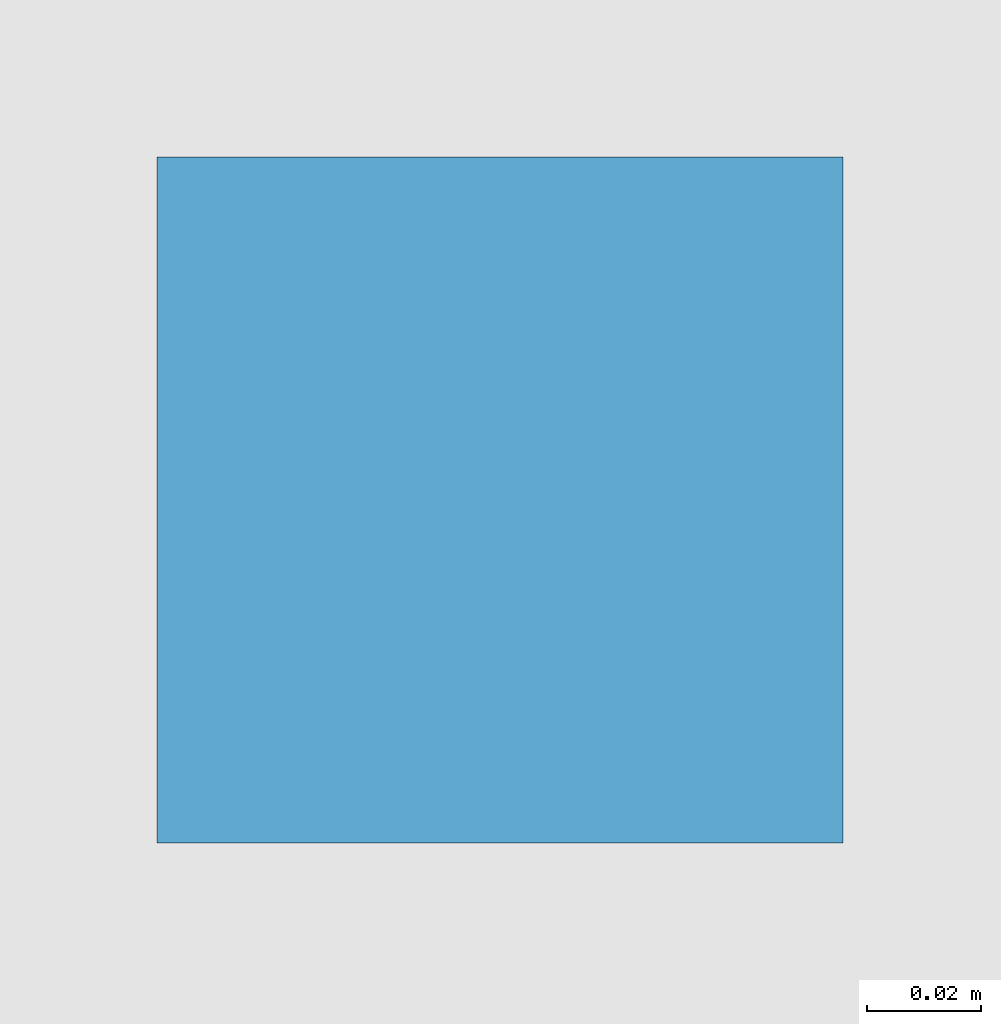
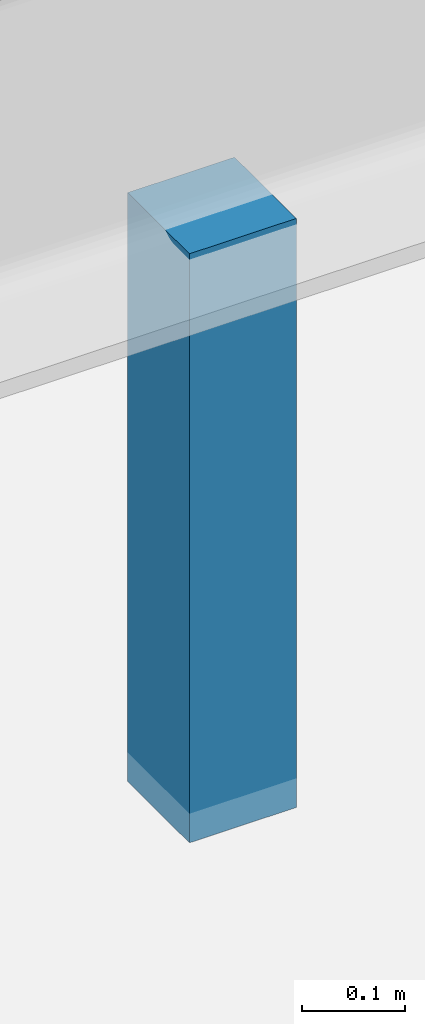
# One storey, part 50 of 67: 1 discrete accessory.
"""IFC4 building model written with IfcOpenShell, lengths in metres."""

import ifcopenshell
import ifcopenshell.guid

model = None  # the IFC model being written
_history = None  # IfcOwnerHistory: only IFC2X3 demands one
_inside = {}  # id of a spatial element -> (the spatial element, [elements in it])
_under = {}  # id of a project, library or spatial element -> (it, [spatial elements below it])
_declared = {}  # id of a project -> (the project, [libraries it declares])
_typed = {}  # id of a type object -> (the type object, [elements of that type])
_made_of = {}  # id of a material, layer set ... -> (it, [elements and type objects made of it])


def new_model(schema):
    """Start an empty IFC model of exactly this schema.

    Asked for "IFC4X3", IfcOpenShell would pick the latest addendum, in which some entities
    have other attributes; the version numbers below select the first issue.
    IFC2X3 requires an IfcOwnerHistory on every rooted entity: one is made here for all.
    """
    global model, _history
    if schema == "IFC4X3":
        model = ifcopenshell.file(schema_version=(4, 3, 0, 0))
    else:
        model = ifcopenshell.file(schema=schema)
    _inside.clear()
    _under.clear()
    _declared.clear()
    _typed.clear()
    _made_of.clear()
    _history = None
    if model.schema == "IFC2X3":
        org = make("IfcOrganization", Name="unknown")
        user = make(
            "IfcPersonAndOrganization",
            ThePerson=make("IfcPerson", FamilyName="unknown"),
            TheOrganization=org,
        )
        app = make(
            "IfcApplication",
            ApplicationDeveloper=org,
            Version="unknown",
            ApplicationFullName="unknown",
            ApplicationIdentifier="unknown",
        )
        _history = make(
            "IfcOwnerHistory",
            OwningUser=user,
            OwningApplication=app,
            ChangeAction="ADDED",
            CreationDate=0,
        )
    return model


def make(cls, **values):
    """One entity of the class cls with the attributes given. An attribute that is None is left unset."""
    return model.create_entity(
        cls, **{name: value for name, value in values.items() if value is not None}
    )


def rooted(cls, **values):
    """An entity with a GlobalId (a new one), such as an element, a storey or a relation."""
    return make(cls, GlobalId=ifcopenshell.guid.new(), OwnerHistory=_history, **values)


def si_unit(unit_type, name, prefix=None):
    """IfcSIUnit, for example si_unit("LENGTHUNIT", "METRE", prefix="MILLI")."""
    return make("IfcSIUnit", UnitType=unit_type, Prefix=prefix, Name=name)


def assignment(units):
    """IfcUnitAssignment: the units of a project."""
    return None if units is None else make("IfcUnitAssignment", Units=units)


def point(xyz):
    """IfcCartesianPoint."""
    return None if xyz is None else make("IfcCartesianPoint", Coordinates=xyz)


def direction(xyz):
    """IfcDirection."""
    return None if xyz is None else make("IfcDirection", DirectionRatios=xyz)


def frame(location, z_axis=None, x_axis=None):
    """IfcAxis2Placement3D, a coordinate frame: its origin and axes. An axis left out is left unset."""
    return make(
        "IfcAxis2Placement3D",
        Location=point(location),
        Axis=direction(z_axis),
        RefDirection=direction(x_axis),
    )


def frame_2d(location, x_axis=None):
    """IfcAxis2Placement2D, a coordinate frame in the plane: its origin and x axis."""
    return make(
        "IfcAxis2Placement2D", Location=point(location), RefDirection=direction(x_axis)
    )


def origin():
    """The frame at (0, 0, 0) with its axes left unset."""
    return frame((0.0, 0.0, 0.0))


def origin_2d():
    """The frame at (0, 0) in the plane with its x axis left unset."""
    return frame_2d((0.0, 0.0))


def place(relative_to, where):
    """IfcLocalPlacement: puts the frame where relative to a parent placement (None: the world)."""
    return make(
        "IfcLocalPlacement", PlacementRelTo=relative_to, RelativePlacement=where
    )


def context(
    kind, dimensions, precision=None, world=None, true_north=None, identifier=None
):
    """IfcGeometricRepresentationContext, for example the 3D "Model" context."""
    return make(
        "IfcGeometricRepresentationContext",
        ContextIdentifier=identifier,
        ContextType=kind,
        CoordinateSpaceDimension=dimensions,
        Precision=precision,
        WorldCoordinateSystem=world,
        TrueNorth=true_north,
    )


def subcontext(parent, identifier, kind, view, scale=None):
    """IfcGeometricRepresentationSubContext, for example "Body" below "Model"."""
    return make(
        "IfcGeometricRepresentationSubContext",
        ContextIdentifier=identifier,
        ContextType=kind,
        ParentContext=parent,
        TargetScale=scale,
        TargetView=view,
    )


def project(units=None, contexts=None):
    """IfcProject with its units and contexts."""
    return rooted(
        "IfcProject",
        Name="project",
        RepresentationContexts=contexts,
        UnitsInContext=assignment(units),
    )


def spatial(cls, under=None, at=None, **own):
    """A site, building, storey or space (cls), placed at a placement, below another one or the project."""
    s = rooted(cls, ObjectPlacement=at, **own)
    if under is not None:
        _under.setdefault(under.id(), (under, []))[1].append(s)
    return s


def profile(cls, at=None, kind="AREA", **sizes):
    """A parametric profile (cls). Its sizes go by their IFC names, for example OverallWidth=200.0."""
    return make(cls, ProfileType=kind, Position=at, **sizes)


def rectangle(**sizes):
    """IfcRectangleProfileDef."""
    return profile("IfcRectangleProfileDef", **sizes)


def extrude(swept, where, along, depth):
    """IfcExtrudedAreaSolid: the profile swept, set in the frame where, extruded along a direction by depth."""
    return make(
        "IfcExtrudedAreaSolid",
        SweptArea=swept,
        Position=where,
        ExtrudedDirection=direction(along),
        Depth=depth,
    )


def shape(context_of_items, identifier, shape_type, items):
    """IfcShapeRepresentation: the items that make up one representation, for example the "Body"."""
    return make(
        "IfcShapeRepresentation",
        ContextOfItems=context_of_items,
        RepresentationIdentifier=identifier,
        RepresentationType=shape_type,
        Items=items,
    )


def material(Name=None, Category=None):
    """IfcMaterial."""
    return make("IfcMaterial", Name=Name, Category=Category)


def made_of(thing, what):
    """Note that an element or type object is made of a material, layer set ...; save() writes the relation."""
    if what is not None:
        _made_of.setdefault(what.id(), (what, []))[1].append(thing)
    return thing


def type_object(cls, material=None, **own):
    """A type object (cls), such as IfcWallType, which elements share."""
    return made_of(rooted(cls, **own), material)


def element(
    cls,
    number,
    at=None,
    inside=None,
    cuts=None,
    type_object=None,
    material=None,
    context=None,
    identifier="Body",
    shape_type=None,
    held_by="IfcProductDefinitionShape",
    body=None,
    shapes=None,
    **own,
):
    """One element of the class cls, such as IfcWall. Its Tag is "e" and its number.

    at: its placement. inside: the storey or other place that contains it. cuts: it is an
    opening in that element (IfcRelVoidsElement). A single representation is given by context,
    identifier, shape_type and body (its items); several are given by shapes. held_by: the class
    of the entity that holds the representations. save() writes the other relations.
    """
    e = rooted(cls, Tag="e%d" % number, ObjectPlacement=at, **own)
    if body is not None:
        shapes = [shape(context, identifier, shape_type, body)]
    if shapes is not None:
        e.Representation = make(held_by, Representations=shapes)
    if inside is not None:
        _inside.setdefault(inside.id(), (inside, []))[1].append(e)
    if cuts is not None:
        rooted(
            "IfcRelVoidsElement", RelatingBuildingElement=cuts, RelatedOpeningElement=e
        )
    if type_object is not None:
        _typed.setdefault(type_object.id(), (type_object, []))[1].append(e)
    return made_of(e, material)


def aggregate(whole, parts):
    """IfcRelAggregates: a whole, such as a stair, and the parts it consists of."""
    return rooted("IfcRelAggregates", RelatingObject=whole, RelatedObjects=parts)


def save(model, path):
    """Write the relations noted so far, then the file.

    IfcRelAggregates (storeys below a building ...), IfcRelContainedInSpatialStructure (elements
    in a storey), IfcRelDefinesByType, IfcRelAssociatesMaterial and IfcRelDeclares: one each for
    every whole, place, type object, material and project.
    """
    for whole, parts in _under.values():
        aggregate(whole, parts)
    for where, things in _inside.values():
        rooted(
            "IfcRelContainedInSpatialStructure",
            RelatedElements=things,
            RelatingStructure=where,
        )
    for kind, things in _typed.values():
        rooted("IfcRelDefinesByType", RelatedObjects=things, RelatingType=kind)
    for what, things in _made_of.values():
        rooted("IfcRelAssociatesMaterial", RelatedObjects=things, RelatingMaterial=what)
    for by, libraries in _declared.values():
        rooted("IfcRelDeclares", RelatingContext=by, RelatedDefinitions=libraries)
    model.write(path)


model = new_model("IFC4")

# Units and contexts
model_context = context("Model", 3, precision=1e-05, world=origin(), true_north=direction((0.0, 1.0)))
body_context = subcontext(model_context, "Body", "Model", "MODEL_VIEW")
ifc_project = project(units=[si_unit("LENGTHUNIT", "METRE"), si_unit("AREAUNIT", "SQUARE_METRE"), si_unit("VOLUMEUNIT", "CUBIC_METRE"), si_unit("PLANEANGLEUNIT", "RADIAN"), si_unit("MASSUNIT", "GRAM", prefix="KILO")], contexts=[model_context])

# Site, building, storey
site_placement = place(None, origin())
site = spatial("IfcSite", under=ifc_project, at=site_placement, CompositionType="ELEMENT")
building_placement = place(site_placement, origin())
building = spatial("IfcBuilding", under=site, at=building_placement, Name="Zlatogorsky Bluff Art Gallery", CompositionType="ELEMENT")
storey_placement = place(building_placement, frame((0.0, 0.0, -5.39990234375)))
storey = spatial("IfcBuildingStorey", under=building, at=storey_placement, Name="B1", CompositionType="ELEMENT", Elevation=-5.39990234375)

# Discrete accessory
ifc_material = material(Name="Steel S355", Category="steel")
discrete_accessory_type = type_object("IfcDiscreteAccessoryType", Name="Stainless Facade Fin Bracket BRK-01", PredefinedType="BRACKET", material=ifc_material)
discrete_accessory_placement = place(storey_placement, frame((138.0, 38.39990234375, 4.0546875), z_axis=(0.0, 0.0, 1.0), x_axis=(1.0, 0.0, 0.0)))
element("IfcDiscreteAccessory", 1, at=discrete_accessory_placement, inside=storey, type_object=discrete_accessory_type, Name="Acoustic ceiling suspension hanger B1-S2", PredefinedType="BRACKET", context=body_context, shape_type="SweptSolid", body=[
    extrude(rectangle(XDim=0.1201171875, YDim=0.1201171875, at=origin_2d()), origin(), (0.0, 0.0, 1.0), 0.699951171875),
])

save(model, "model.ifc")
